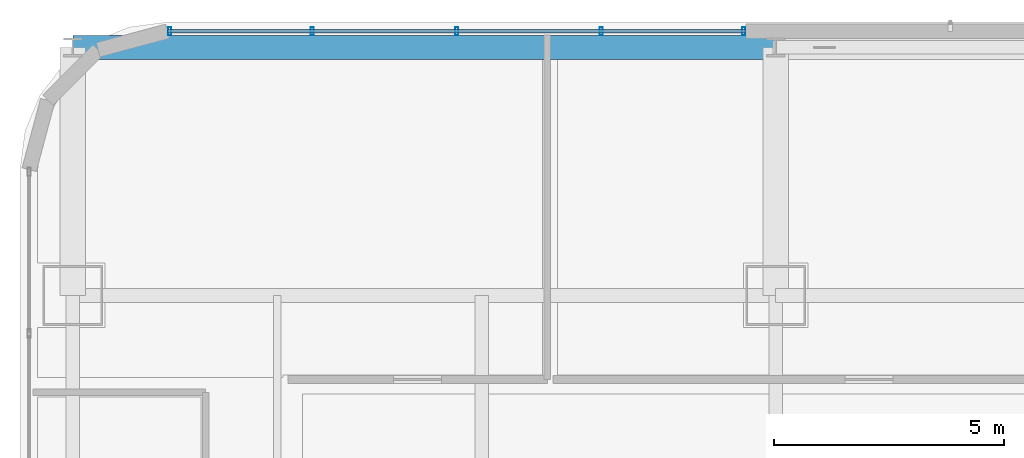
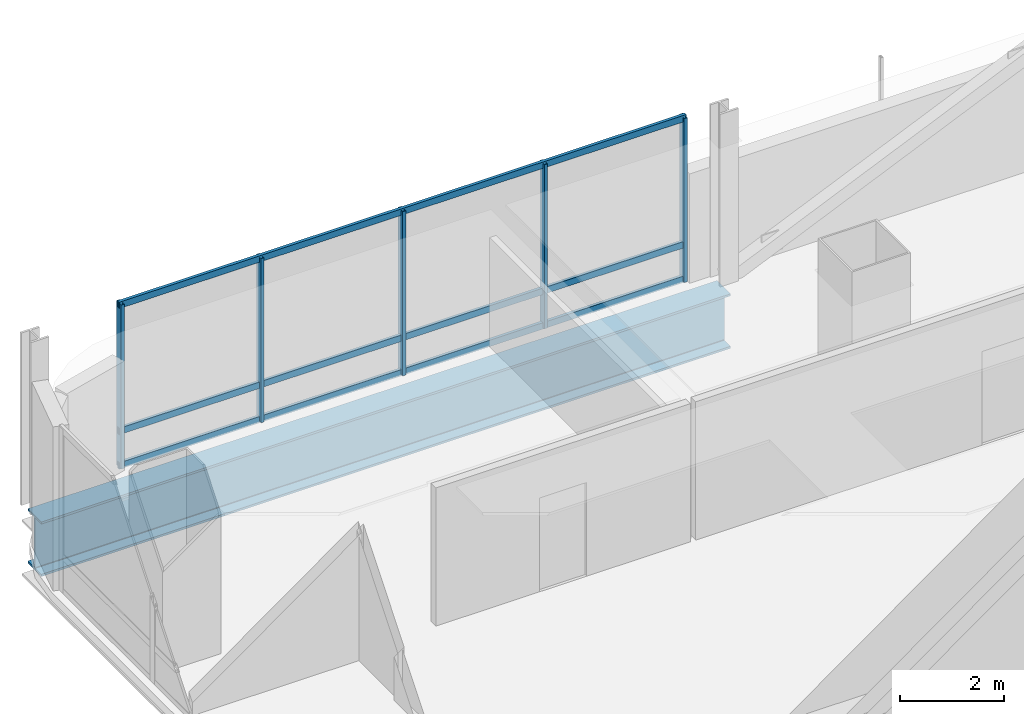
# One storey, part 22 of 44: 8 members, 1 beam, 1 element without a shape of its own.
"""IFC4 building model written with IfcOpenShell, lengths in metres."""

from ifc_helpers import new_model, si_unit, direction, frame, origin, origin_2d, place, context, subcontext, project, spatial, hollow_rectangle, i_section, extrude, material, material_profile, profile_set, type_object, element, aggregate, save


model = new_model("IFC4")

# Units and contexts
model_context = context("Model", 3, precision=1e-05, world=origin(), true_north=direction((0.0, 1.0)))
body_context = subcontext(model_context, "Body", "Model", "MODEL_VIEW")
ifc_project = project(units=[si_unit("LENGTHUNIT", "METRE"), si_unit("AREAUNIT", "SQUARE_METRE"), si_unit("VOLUMEUNIT", "CUBIC_METRE"), si_unit("PLANEANGLEUNIT", "RADIAN"), si_unit("MASSUNIT", "GRAM", prefix="KILO")], contexts=[model_context])

# Site, building, storey
site_placement = place(None, origin())
site = spatial("IfcSite", under=ifc_project, at=site_placement, CompositionType="ELEMENT")
building_placement = place(site_placement, origin())
building = spatial("IfcBuilding", under=site, at=building_placement, Name="Punatoya Terracotta Tower", CompositionType="ELEMENT")
storey_placement = place(building_placement, frame((0.0, 0.0, 267.60009765625)))
storey = spatial("IfcBuildingStorey", under=building, at=storey_placement, Name="L63", CompositionType="ELEMENT", Elevation=267.60009765625)

# Beam
ifc_material_1 = material(Name="Steel S460", Category="steel")
ifc_material_profile_1 = material_profile(ifc_material_1, i_section(OverallWidth=0.52001953125, OverallDepth=1.280029296875, WebThickness=0.031982421875, FlangeThickness=0.050048828125, FilletRadius=0.01806640625, at=origin_2d()))
ifc_profile_set_1 = profile_set([ifc_material_profile_1], Name="Steel S460")
beam_type = type_object("IfcBeamType", Name="BM-TG-NCK", PredefinedType="BEAM", material=ifc_profile_set_1)
beam_placement = place(storey_placement, frame((-19.10009765625, 22.89990234375, -0.840087890625), z_axis=(1.0, 0.0, 0.0), x_axis=(0.0, 1.0, 0.0)))
element("IfcBeam", 1, at=beam_placement, inside=storey, type_object=beam_type, Name="BM-L63-PER-N1", PredefinedType="BEAM", context=body_context, shape_type="SweptSolid", body=[
    extrude(i_section(OverallWidth=0.52001953125, OverallDepth=1.280029296875, WebThickness=0.031982421875, FlangeThickness=0.050048828125, FilletRadius=0.01806640625, at=origin_2d()), origin(), (0.0, 0.0, 1.0), 15.300048828125),
])

# Curtain wall, members
ifc_material_2 = material(Name="Aluminium 6063-T6 + Double Low-E Glass", Category="aluminium")
curtain_wall_type = type_object("IfcCurtainWallType", Name="CW-M3", PredefinedType="NOTDEFINED", material=ifc_material_2)
curtain_wall_placement = place(storey_placement, origin())
curtain_wall = element("IfcCurtainWall", 2, at=curtain_wall_placement, inside=storey, type_object=curtain_wall_type, Name="L63 Curtain Wall CW-L63-N09-2", PredefinedType="NOTDEFINED")
ifc_material_3 = material(Name="Aluminium 6063-T6", Category="aluminium")
ifc_material_profile_2 = material_profile(ifc_material_3, hollow_rectangle(XDim=0.070068359375, YDim=0.179931640625, WallThickness=0.00390625, at=origin_2d()))
ifc_profile_set_2 = profile_set([ifc_material_profile_2], Name="Aluminium 6063-T6")
member_type_1 = type_object("IfcMemberType", Name="CW-MUL-M3", PredefinedType="MULLION", material=ifc_profile_set_2)
member_1_placement = place(storey_placement, frame((-4.4951171875, 23.25, 0.0), z_axis=(0.0, 0.0, 1.0), x_axis=(1.0, 0.0, 0.0)))
member_1 = element("IfcMember", 3, at=member_1_placement, type_object=member_type_1, Name="CW-L63-N09-2 Mullion 00", PredefinedType="MULLION", context=body_context, shape_type="SweptSolid", body=[
    extrude(hollow_rectangle(XDim=0.070068359375, YDim=0.179931640625, WallThickness=0.00390625, at=origin_2d()), origin(), (0.0, 0.0, 1.0), 3.849853515625),
])
member_2_placement = place(storey_placement, frame((-7.5966796875, 23.25, 0.0), z_axis=(0.0, 0.0, 1.0), x_axis=(1.0, 0.0, 0.0)))
member_2 = element("IfcMember", 4, at=member_2_placement, type_object=member_type_1, Name="CW-L63-N09-2 Mullion 01", PredefinedType="MULLION", context=body_context, shape_type="SweptSolid", body=[
    extrude(hollow_rectangle(XDim=0.070068359375, YDim=0.179931640625, WallThickness=0.00390625, at=origin_2d()), origin(), (0.0, 0.0, 1.0), 3.849853515625),
])
member_3_placement = place(storey_placement, frame((-10.743408203125, 23.25, 0.0), z_axis=(0.0, 0.0, 1.0), x_axis=(1.0, 0.0, 0.0)))
member_3 = element("IfcMember", 5, at=member_3_placement, type_object=member_type_1, Name="CW-L63-N09-2 Mullion 02", PredefinedType="MULLION", context=body_context, shape_type="SweptSolid", body=[
    extrude(hollow_rectangle(XDim=0.070068359375, YDim=0.179931640625, WallThickness=0.00390625, at=origin_2d()), origin(), (0.0, 0.0, 1.0), 3.849853515625),
])
member_4_placement = place(storey_placement, frame((-13.89013671875, 23.25, 0.0), z_axis=(0.0, 0.0, 1.0), x_axis=(1.0, 0.0, 0.0)))
member_4 = element("IfcMember", 6, at=member_4_placement, type_object=member_type_1, Name="CW-L63-N09-2 Mullion 03", PredefinedType="MULLION", context=body_context, shape_type="SweptSolid", body=[
    extrude(hollow_rectangle(XDim=0.070068359375, YDim=0.179931640625, WallThickness=0.00390625, at=origin_2d()), origin(), (0.0, 0.0, 1.0), 3.849853515625),
])
member_5_placement = place(storey_placement, frame((-16.991943359375, 23.25, 0.0), z_axis=(0.0, 0.0, 1.0), x_axis=(1.0, 0.0, 0.0)))
member_5 = element("IfcMember", 7, at=member_5_placement, type_object=member_type_1, Name="CW-L63-N09-2 Mullion 04", PredefinedType="MULLION", context=body_context, shape_type="SweptSolid", body=[
    extrude(hollow_rectangle(XDim=0.070068359375, YDim=0.179931640625, WallThickness=0.00390625, at=origin_2d()), origin(), (0.0, 0.0, 1.0), 3.849853515625),
])
ifc_material_profile_3 = material_profile(ifc_material_3, hollow_rectangle(XDim=0.068115234375, YDim=0.14990234375, WallThickness=0.00390625, at=origin_2d()))
ifc_profile_set_3 = profile_set([ifc_material_profile_3], Name="Aluminium 6063-T6")
member_type_2 = type_object("IfcMemberType", Name="CW-TRN-TYP", PredefinedType="USERDEFINED", material=ifc_profile_set_3)
member_6_placement = place(storey_placement, frame((-4.449951171875, 23.25, 0.039794921875), z_axis=(-1.0, 0.0, 0.0), x_axis=(0.0, -1.0, 0.0)))
member_6 = element("IfcMember", 8, at=member_6_placement, type_object=member_type_2, Name="CW-L63-N09-2 Transom 1", ObjectType="TRANSOM", PredefinedType="USERDEFINED", context=body_context, shape_type="SweptSolid", body=[
    extrude(hollow_rectangle(XDim=0.068115234375, YDim=0.14990234375, WallThickness=0.00390625, at=origin_2d()), origin(), (0.0, 0.0, 1.0), 12.5869140625),
])
member_7_placement = place(storey_placement, frame((-4.449951171875, 23.25, 0.849853515625), z_axis=(-1.0, 0.0, 0.0), x_axis=(0.0, -1.0, 0.0)))
member_7 = element("IfcMember", 9, at=member_7_placement, type_object=member_type_2, Name="CW-L63-N09-2 Transom 2", ObjectType="TRANSOM", PredefinedType="USERDEFINED", context=body_context, shape_type="SweptSolid", body=[
    extrude(hollow_rectangle(XDim=0.068115234375, YDim=0.14990234375, WallThickness=0.00390625, at=origin_2d()), origin(), (0.0, 0.0, 1.0), 12.5869140625),
])
member_8_placement = place(storey_placement, frame((-4.449951171875, 23.25, 3.809814453125), z_axis=(-1.0, 0.0, 0.0), x_axis=(0.0, -1.0, 0.0)))
member_8 = element("IfcMember", 10, at=member_8_placement, type_object=member_type_2, Name="CW-L63-N09-2 Transom 3", ObjectType="TRANSOM", PredefinedType="USERDEFINED", context=body_context, shape_type="SweptSolid", body=[
    extrude(hollow_rectangle(XDim=0.068115234375, YDim=0.14990234375, WallThickness=0.00390625, at=origin_2d()), origin(), (0.0, 0.0, 1.0), 12.5869140625),
])
aggregate(curtain_wall, [member_1, member_2, member_3, member_4, member_5, member_6, member_7, member_8])

save(model, "model.ifc")
